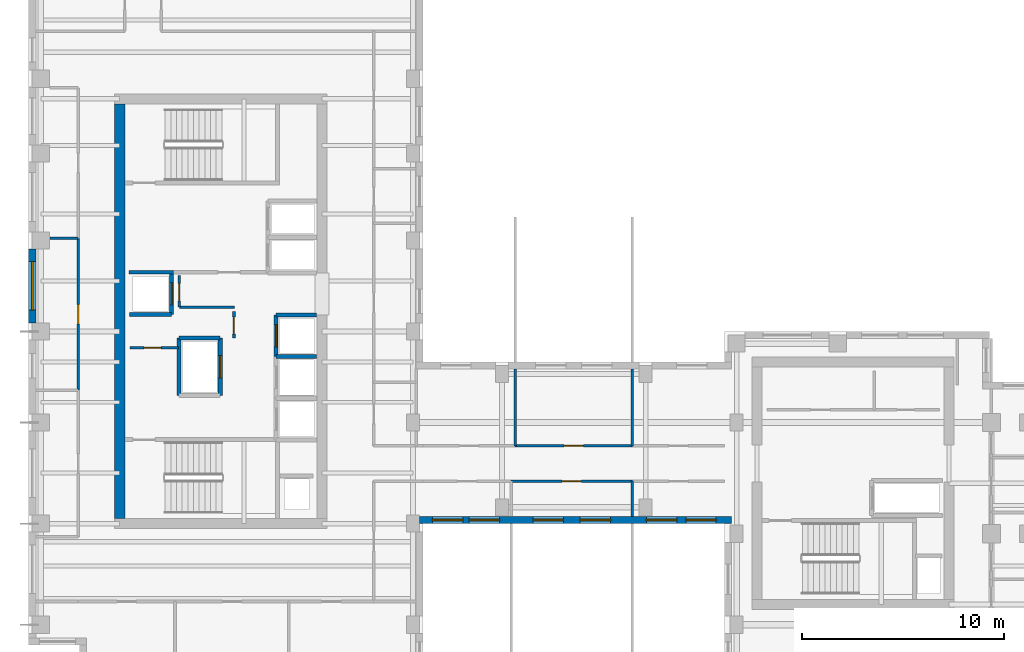
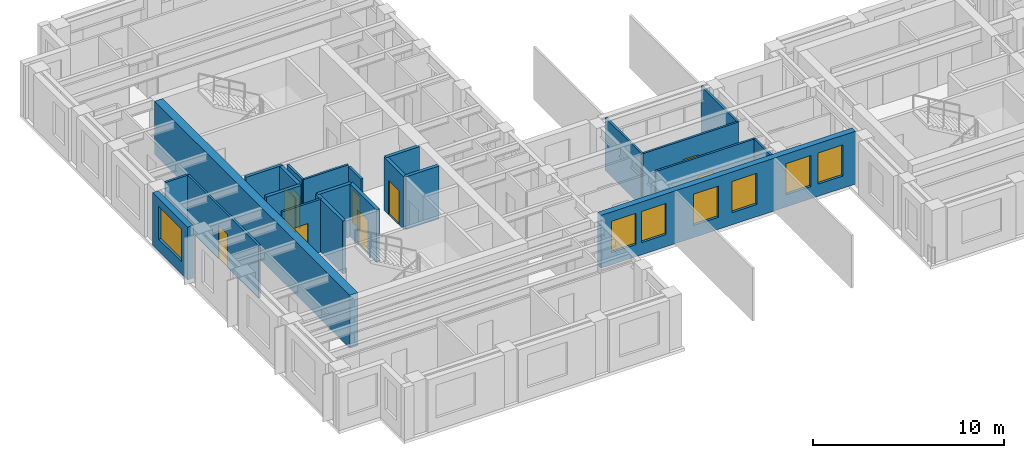
# One storey, part 4 of 10: 23 walls, 9 doors, 7 windows, 16 openings.
"""IFC4 building model written with IfcOpenShell, lengths in metres."""

import ifcopenshell
import ifcopenshell.guid

model = None  # the IFC model being written
_history = None  # IfcOwnerHistory: only IFC2X3 demands one
_inside = {}  # id of a spatial element -> (the spatial element, [elements in it])
_under = {}  # id of a project, library or spatial element -> (it, [spatial elements below it])
_declared = {}  # id of a project -> (the project, [libraries it declares])
_typed = {}  # id of a type object -> (the type object, [elements of that type])
_made_of = {}  # id of a material, layer set ... -> (it, [elements and type objects made of it])


def new_model(schema):
    """Start an empty IFC model of exactly this schema.

    Asked for "IFC4X3", IfcOpenShell would pick the latest addendum, in which some entities
    have other attributes; the version numbers below select the first issue.
    IFC2X3 requires an IfcOwnerHistory on every rooted entity: one is made here for all.
    """
    global model, _history
    if schema == "IFC4X3":
        model = ifcopenshell.file(schema_version=(4, 3, 0, 0))
    else:
        model = ifcopenshell.file(schema=schema)
    _inside.clear()
    _under.clear()
    _declared.clear()
    _typed.clear()
    _made_of.clear()
    _history = None
    if model.schema == "IFC2X3":
        org = make("IfcOrganization", Name="unknown")
        user = make(
            "IfcPersonAndOrganization",
            ThePerson=make("IfcPerson", FamilyName="unknown"),
            TheOrganization=org,
        )
        app = make(
            "IfcApplication",
            ApplicationDeveloper=org,
            Version="unknown",
            ApplicationFullName="unknown",
            ApplicationIdentifier="unknown",
        )
        _history = make(
            "IfcOwnerHistory",
            OwningUser=user,
            OwningApplication=app,
            ChangeAction="ADDED",
            CreationDate=0,
        )
    return model


def make(cls, **values):
    """One entity of the class cls with the attributes given. An attribute that is None is left unset."""
    return model.create_entity(
        cls, **{name: value for name, value in values.items() if value is not None}
    )


def rooted(cls, **values):
    """An entity with a GlobalId (a new one), such as an element, a storey or a relation."""
    return make(cls, GlobalId=ifcopenshell.guid.new(), OwnerHistory=_history, **values)


def si_unit(unit_type, name, prefix=None):
    """IfcSIUnit, for example si_unit("LENGTHUNIT", "METRE", prefix="MILLI")."""
    return make("IfcSIUnit", UnitType=unit_type, Prefix=prefix, Name=name)


def assignment(units):
    """IfcUnitAssignment: the units of a project."""
    return None if units is None else make("IfcUnitAssignment", Units=units)


def point(xyz):
    """IfcCartesianPoint."""
    return None if xyz is None else make("IfcCartesianPoint", Coordinates=xyz)


def direction(xyz):
    """IfcDirection."""
    return None if xyz is None else make("IfcDirection", DirectionRatios=xyz)


def frame(location, z_axis=None, x_axis=None):
    """IfcAxis2Placement3D, a coordinate frame: its origin and axes. An axis left out is left unset."""
    return make(
        "IfcAxis2Placement3D",
        Location=point(location),
        Axis=direction(z_axis),
        RefDirection=direction(x_axis),
    )


def frame_2d(location, x_axis=None):
    """IfcAxis2Placement2D, a coordinate frame in the plane: its origin and x axis."""
    return make(
        "IfcAxis2Placement2D", Location=point(location), RefDirection=direction(x_axis)
    )


def origin():
    """The frame at (0, 0, 0) with its axes left unset."""
    return frame((0.0, 0.0, 0.0))


def place(relative_to, where):
    """IfcLocalPlacement: puts the frame where relative to a parent placement (None: the world)."""
    return make(
        "IfcLocalPlacement", PlacementRelTo=relative_to, RelativePlacement=where
    )


def context(
    kind, dimensions, precision=None, world=None, true_north=None, identifier=None
):
    """IfcGeometricRepresentationContext, for example the 3D "Model" context."""
    return make(
        "IfcGeometricRepresentationContext",
        ContextIdentifier=identifier,
        ContextType=kind,
        CoordinateSpaceDimension=dimensions,
        Precision=precision,
        WorldCoordinateSystem=world,
        TrueNorth=true_north,
    )


def subcontext(parent, identifier, kind, view, scale=None):
    """IfcGeometricRepresentationSubContext, for example "Body" below "Model"."""
    return make(
        "IfcGeometricRepresentationSubContext",
        ContextIdentifier=identifier,
        ContextType=kind,
        ParentContext=parent,
        TargetScale=scale,
        TargetView=view,
    )


def project(units=None, contexts=None):
    """IfcProject with its units and contexts."""
    return rooted(
        "IfcProject",
        Name="project",
        RepresentationContexts=contexts,
        UnitsInContext=assignment(units),
    )


def spatial(cls, under=None, at=None, **own):
    """A site, building, storey or space (cls), placed at a placement, below another one or the project."""
    s = rooted(cls, ObjectPlacement=at, **own)
    if under is not None:
        _under.setdefault(under.id(), (under, []))[1].append(s)
    return s


def profile(cls, at=None, kind="AREA", **sizes):
    """A parametric profile (cls). Its sizes go by their IFC names, for example OverallWidth=200.0."""
    return make(cls, ProfileType=kind, Position=at, **sizes)


def rectangle(**sizes):
    """IfcRectangleProfileDef."""
    return profile("IfcRectangleProfileDef", **sizes)


def extrude(swept, where, along, depth):
    """IfcExtrudedAreaSolid: the profile swept, set in the frame where, extruded along a direction by depth."""
    return make(
        "IfcExtrudedAreaSolid",
        SweptArea=swept,
        Position=where,
        ExtrudedDirection=direction(along),
        Depth=depth,
    )


def shape(context_of_items, identifier, shape_type, items):
    """IfcShapeRepresentation: the items that make up one representation, for example the "Body"."""
    return make(
        "IfcShapeRepresentation",
        ContextOfItems=context_of_items,
        RepresentationIdentifier=identifier,
        RepresentationType=shape_type,
        Items=items,
    )


def source(mapping_origin, context_of_items, identifier, shape_type, items):
    """IfcRepresentationMap: a shape defined once, which mapped items show again and again."""
    return make(
        "IfcRepresentationMap",
        MappingOrigin=mapping_origin,
        MappedRepresentation=shape(context_of_items, identifier, shape_type, items),
    )


def transform(
    local_origin,
    x_axis=None,
    y_axis=None,
    z_axis=None,
    scale=None,
    scale2=None,
    scale3=None,
    uniform=True,
):
    """IfcCartesianTransformationOperator3D, or its non-uniform kind. x_axis, y_axis, z_axis: its Axis1, 2, 3."""
    if uniform:
        return make(
            "IfcCartesianTransformationOperator3D",
            Axis1=direction(x_axis),
            Axis2=direction(y_axis),
            LocalOrigin=point(local_origin),
            Scale=scale,
            Axis3=direction(z_axis),
        )
    return make(
        "IfcCartesianTransformationOperator3DnonUniform",
        Axis1=direction(x_axis),
        Axis2=direction(y_axis),
        LocalOrigin=point(local_origin),
        Scale=scale,
        Axis3=direction(z_axis),
        Scale2=scale2,
        Scale3=scale3,
    )


def mapped(mapping_source, mapping_target):
    """IfcMappedItem: shows the shape of a source again, moved by a transform."""
    return make(
        "IfcMappedItem", MappingSource=mapping_source, MappingTarget=mapping_target
    )


def material(Name=None, Category=None):
    """IfcMaterial."""
    return make("IfcMaterial", Name=Name, Category=Category)


def layer(
    of_material, thickness, ventilated=None, Name=None, Category=None, Priority=None
):
    """IfcMaterialLayer: one layer of a wall or slab, of a material (None: an air gap)."""
    return make(
        "IfcMaterialLayer",
        Material=of_material,
        LayerThickness=thickness,
        IsVentilated=ventilated,
        Name=Name,
        Category=Category,
        Priority=Priority,
    )


def layer_set(layers, Name=None):
    """IfcMaterialLayerSet."""
    return make("IfcMaterialLayerSet", MaterialLayers=layers, LayerSetName=Name)


def made_of(thing, what):
    """Note that an element or type object is made of a material, layer set ...; save() writes the relation."""
    if what is not None:
        _made_of.setdefault(what.id(), (what, []))[1].append(thing)
    return thing


def type_object(cls, material=None, **own):
    """A type object (cls), such as IfcWallType, which elements share."""
    return made_of(rooted(cls, **own), material)


def element(
    cls,
    number,
    at=None,
    inside=None,
    cuts=None,
    type_object=None,
    material=None,
    context=None,
    identifier="Body",
    shape_type=None,
    held_by="IfcProductDefinitionShape",
    body=None,
    shapes=None,
    **own,
):
    """One element of the class cls, such as IfcWall. Its Tag is "e" and its number.

    at: its placement. inside: the storey or other place that contains it. cuts: it is an
    opening in that element (IfcRelVoidsElement). A single representation is given by context,
    identifier, shape_type and body (its items); several are given by shapes. held_by: the class
    of the entity that holds the representations. save() writes the other relations.
    """
    e = rooted(cls, Tag="e%d" % number, ObjectPlacement=at, **own)
    if body is not None:
        shapes = [shape(context, identifier, shape_type, body)]
    if shapes is not None:
        e.Representation = make(held_by, Representations=shapes)
    if inside is not None:
        _inside.setdefault(inside.id(), (inside, []))[1].append(e)
    if cuts is not None:
        rooted(
            "IfcRelVoidsElement", RelatingBuildingElement=cuts, RelatedOpeningElement=e
        )
    if type_object is not None:
        _typed.setdefault(type_object.id(), (type_object, []))[1].append(e)
    return made_of(e, material)


def fill(opening, filler):
    """IfcRelFillsElement: the door or window that sits in an opening."""
    return rooted(
        "IfcRelFillsElement",
        RelatingOpeningElement=opening,
        RelatedBuildingElement=filler,
    )


def aggregate(whole, parts):
    """IfcRelAggregates: a whole, such as a stair, and the parts it consists of."""
    return rooted("IfcRelAggregates", RelatingObject=whole, RelatedObjects=parts)


def save(model, path):
    """Write the relations noted so far, then the file.

    IfcRelAggregates (storeys below a building ...), IfcRelContainedInSpatialStructure (elements
    in a storey), IfcRelDefinesByType, IfcRelAssociatesMaterial and IfcRelDeclares: one each for
    every whole, place, type object, material and project.
    """
    for whole, parts in _under.values():
        aggregate(whole, parts)
    for where, things in _inside.values():
        rooted(
            "IfcRelContainedInSpatialStructure",
            RelatedElements=things,
            RelatingStructure=where,
        )
    for kind, things in _typed.values():
        rooted("IfcRelDefinesByType", RelatedObjects=things, RelatingType=kind)
    for what, things in _made_of.values():
        rooted("IfcRelAssociatesMaterial", RelatedObjects=things, RelatingMaterial=what)
    for by, libraries in _declared.values():
        rooted("IfcRelDeclares", RelatingContext=by, RelatedDefinitions=libraries)
    model.write(path)


model = new_model("IFC4")

# Units and contexts
model_context = context("Model", 3, precision=1e-05, world=origin(), true_north=direction((0.0, 1.0)))
body_context = subcontext(model_context, "Body", "Model", "MODEL_VIEW")
ifc_project = project(units=[si_unit("LENGTHUNIT", "METRE"), si_unit("AREAUNIT", "SQUARE_METRE"), si_unit("VOLUMEUNIT", "CUBIC_METRE"), si_unit("PLANEANGLEUNIT", "RADIAN"), si_unit("MASSUNIT", "GRAM", prefix="KILO")], contexts=[model_context])

# Site, building, storey
site_placement = place(None, origin())
site = spatial("IfcSite", under=ifc_project, at=site_placement, CompositionType="ELEMENT")
building_placement = place(site_placement, origin())
building = spatial("IfcBuilding", under=site, at=building_placement, Name="Kharzan Plaza Tower", CompositionType="ELEMENT")
storey_placement = place(building_placement, frame((0.0, 0.0, 230.39990234375)))
storey = spatial("IfcBuildingStorey", under=building, at=storey_placement, Name="L62", CompositionType="ELEMENT", Elevation=230.39990234375)

# Wall, opening, window
ifc_material_1 = material(Name="Concrete C40/50", Category="concrete")
ifc_layer_1 = layer(ifc_material_1, 0.35009765625)
ifc_layer_set_1 = layer_set([ifc_layer_1], Name="Concrete C40/50")
wall_type_1 = type_object("IfcWallType", Name="WL-EXT-MAS-Z4", PredefinedType="SOLIDWALL", material=ifc_layer_set_1)
wall_1_placement = place(storey_placement, frame((0.175048828125, 22.076904296875, 0.0), z_axis=(0.0, 0.0, 1.0), x_axis=(0.0, -1.0, 0.0)))
wall_1 = element("IfcWall", 1, at=wall_1_placement, inside=storey, type_object=wall_type_1, Name="L62 Masonry-Frame Exterior Wall 19", PredefinedType="SOLIDWALL", context=body_context, shape_type="SweptSolid", body=[
    extrude(rectangle(XDim=3.65380859375, YDim=0.35009765625, at=frame_2d((1.826904296875, 0.0))), origin(), (0.0, 0.0, 1.0), 3.385009765625),
])
opening_1_placement = place(wall_1_placement, frame((0.626953125, 0.0, 0.780029296875)))
opening_1 = element("IfcOpeningElement", 2, at=opening_1_placement, cuts=wall_1, Name="Opening W2", PredefinedType="OPENING", context=body_context, shape_type="SweptSolid", body=[
    extrude(rectangle(XDim=2.39990234375, YDim=2.10009765625, at=frame_2d((1.199951171875, 1.050048828125))), frame((0.0, 0.18505859375, 0.0), z_axis=(0.0, -1.0, 0.0), x_axis=(1.0, 0.0, 0.0)), (0.0, 0.0, 1.0), 0.3701171875),
])
ifc_material_2 = material(Name="Low-E Double Glazing", Category="glass")
window_type_1 = type_object("IfcWindowType", Name="WN-REC-2400x2100", PartitioningType="SINGLE_PANEL", PredefinedType="WINDOW", material=ifc_material_2)
shared_shape_1 = source(origin(), body_context, "Body", "SweptSolid", [
    extrude(rectangle(XDim=2.39990234375, YDim=2.10009765625, at=frame_2d((1.199951171875, 1.050048828125))), frame((0.0, 0.030029296875, 0.0), z_axis=(0.0, -1.0, 0.0), x_axis=(1.0, 0.0, 0.0)), (0.0, 0.0, 1.0), 0.06005859375),
])
window_1_placement = place(opening_1_placement, origin())
window_1 = element("IfcWindow", 3, at=window_1_placement, inside=storey, type_object=window_type_1, Name="L62 Wide Recessed Solar-Control Window 19-1", OverallHeight=2.10009765625, OverallWidth=2.39990234375, PartitioningType="SINGLE_PANEL", PredefinedType="WINDOW", context=body_context, shape_type="MappedRepresentation", body=[
    mapped(shared_shape_1, transform((0.0, 0.0, 0.0), x_axis=(1.0, 0.0, 0.0), y_axis=(0.0, 1.0, 0.0), z_axis=(0.0, 0.0, 1.0))),
])
fill(opening_1, window_1)

# Wall, openings, windows
wall_2_placement = place(storey_placement, frame((19.322998046875, 8.675048828125, 0.0), z_axis=(0.0, 0.0, 1.0), x_axis=(1.0, 0.0, 0.0)))
wall_2 = element("IfcWall", 4, at=wall_2_placement, inside=storey, type_object=wall_type_1, Name="L62 Masonry-Frame Exterior Wall 32", PredefinedType="SOLIDWALL", context=body_context, shape_type="SweptSolid", body=[
    extrude(rectangle(XDim=15.427001953125, YDim=0.35009765625, at=frame_2d((7.71337890625, 0.0))), origin(), (0.0, 0.0, 1.0), 3.385009765625),
])
opening_2_placement = place(wall_2_placement, frame((0.638916015625, 0.0, 0.780029296875)))
opening_2 = element("IfcOpeningElement", 5, at=opening_2_placement, cuts=wall_2, Name="Opening W5", PredefinedType="OPENING", context=body_context, shape_type="SweptSolid", body=[
    extrude(rectangle(XDim=1.5, YDim=2.0, at=frame_2d((0.75, 1.0))), frame((0.0, 0.18505859375, 0.0), z_axis=(0.0, -1.0, 0.0), x_axis=(1.0, 0.0, 0.0)), (0.0, 0.0, 1.0), 0.3701171875),
])
opening_3_placement = place(wall_2_placement, frame((2.4580078125, 0.0, 0.780029296875)))
opening_3 = element("IfcOpeningElement", 6, at=opening_3_placement, cuts=wall_2, Name="Opening W5", PredefinedType="OPENING", context=body_context, shape_type="SweptSolid", body=[
    extrude(rectangle(XDim=1.5, YDim=2.0, at=frame_2d((0.75, 1.0))), frame((0.0, 0.18505859375, 0.0), z_axis=(0.0, -1.0, 0.0), x_axis=(1.0, 0.0, 0.0)), (0.0, 0.0, 1.0), 0.3701171875),
])
opening_4_placement = place(wall_2_placement, frame((5.6103515625, 0.0, 0.780029296875)))
opening_4 = element("IfcOpeningElement", 7, at=opening_4_placement, cuts=wall_2, Name="Opening W5", PredefinedType="OPENING", context=body_context, shape_type="SweptSolid", body=[
    extrude(rectangle(XDim=1.5, YDim=2.0, at=frame_2d((0.75, 1.0))), frame((0.0, 0.18505859375, 0.0), z_axis=(0.0, -1.0, 0.0), x_axis=(1.0, 0.0, 0.0)), (0.0, 0.0, 1.0), 0.3701171875),
])
opening_5_placement = place(wall_2_placement, frame((7.943603515625, 0.0, 0.780029296875)))
opening_5 = element("IfcOpeningElement", 8, at=opening_5_placement, cuts=wall_2, Name="Opening W5", PredefinedType="OPENING", context=body_context, shape_type="SweptSolid", body=[
    extrude(rectangle(XDim=1.5, YDim=2.0, at=frame_2d((0.75, 1.0))), frame((0.0, 0.18505859375, 0.0), z_axis=(0.0, -1.0, 0.0), x_axis=(1.0, 0.0, 0.0)), (0.0, 0.0, 1.0), 0.3701171875),
])
opening_6_placement = place(wall_2_placement, frame((11.22021484375, 0.0, 0.780029296875)))
opening_6 = element("IfcOpeningElement", 9, at=opening_6_placement, cuts=wall_2, Name="Opening W5", PredefinedType="OPENING", context=body_context, shape_type="SweptSolid", body=[
    extrude(rectangle(XDim=1.5, YDim=2.0, at=frame_2d((0.75, 1.0))), frame((0.0, 0.18505859375, 0.0), z_axis=(0.0, -1.0, 0.0), x_axis=(1.0, 0.0, 0.0)), (0.0, 0.0, 1.0), 0.3701171875),
])
opening_7_placement = place(wall_2_placement, frame((13.163818359375, 0.0, 0.780029296875)))
opening_7 = element("IfcOpeningElement", 10, at=opening_7_placement, cuts=wall_2, Name="Opening W5", PredefinedType="OPENING", context=body_context, shape_type="SweptSolid", body=[
    extrude(rectangle(XDim=1.5, YDim=2.0, at=frame_2d((0.75, 1.0))), frame((0.0, 0.18505859375, 0.0), z_axis=(0.0, -1.0, 0.0), x_axis=(1.0, 0.0, 0.0)), (0.0, 0.0, 1.0), 0.3701171875),
])
window_type_2 = type_object("IfcWindowType", Name="WN-SLT-1500x2000", PartitioningType="SINGLE_PANEL", PredefinedType="WINDOW", material=ifc_material_2)
shared_shape_2 = source(origin(), body_context, "Body", "SweptSolid", [
    extrude(rectangle(XDim=1.5, YDim=2.0, at=frame_2d((0.75, 1.0))), frame((0.0, 0.030029296875, 0.0), z_axis=(0.0, -1.0, 0.0), x_axis=(1.0, 0.0, 0.0)), (0.0, 0.0, 1.0), 0.06005859375),
])
window_2_placement = place(opening_2_placement, origin())
window_2 = element("IfcWindow", 11, at=window_2_placement, inside=storey, type_object=window_type_2, Name="L62 Recessed Solar-Control Window 32-1", OverallHeight=2.0, OverallWidth=1.5, PartitioningType="SINGLE_PANEL", PredefinedType="WINDOW", context=body_context, shape_type="MappedRepresentation", body=[
    mapped(shared_shape_2, transform((0.0, 0.0, 0.0), x_axis=(1.0, 0.0, 0.0), y_axis=(0.0, 1.0, 0.0), z_axis=(0.0, 0.0, 1.0))),
])
fill(opening_2, window_2)
window_3_placement = place(opening_3_placement, origin())
window_3 = element("IfcWindow", 12, at=window_3_placement, inside=storey, type_object=window_type_2, Name="L62 Recessed Solar-Control Window 32-2", OverallHeight=2.0, OverallWidth=1.5, PartitioningType="SINGLE_PANEL", PredefinedType="WINDOW", context=body_context, shape_type="MappedRepresentation", body=[
    mapped(shared_shape_2, transform((0.0, 0.0, 0.0), x_axis=(1.0, 0.0, 0.0), y_axis=(0.0, 1.0, 0.0), z_axis=(0.0, 0.0, 1.0))),
])
fill(opening_3, window_3)
window_4_placement = place(opening_4_placement, origin())
window_4 = element("IfcWindow", 13, at=window_4_placement, inside=storey, type_object=window_type_2, Name="L62 Recessed Solar-Control Window 32-3", OverallHeight=2.0, OverallWidth=1.5, PartitioningType="SINGLE_PANEL", PredefinedType="WINDOW", context=body_context, shape_type="MappedRepresentation", body=[
    mapped(shared_shape_2, transform((0.0, 0.0, 0.0), x_axis=(1.0, 0.0, 0.0), y_axis=(0.0, 1.0, 0.0), z_axis=(0.0, 0.0, 1.0))),
])
fill(opening_4, window_4)
window_5_placement = place(opening_5_placement, origin())
window_5 = element("IfcWindow", 14, at=window_5_placement, inside=storey, type_object=window_type_2, Name="L62 Recessed Solar-Control Window 32-4", OverallHeight=2.0, OverallWidth=1.5, PartitioningType="SINGLE_PANEL", PredefinedType="WINDOW", context=body_context, shape_type="MappedRepresentation", body=[
    mapped(shared_shape_2, transform((0.0, 0.0, 0.0), x_axis=(1.0, 0.0, 0.0), y_axis=(0.0, 1.0, 0.0), z_axis=(0.0, 0.0, 1.0))),
])
fill(opening_5, window_5)
window_6_placement = place(opening_6_placement, origin())
window_6 = element("IfcWindow", 15, at=window_6_placement, inside=storey, type_object=window_type_2, Name="L62 Recessed Solar-Control Window 32-5", OverallHeight=2.0, OverallWidth=1.5, PartitioningType="SINGLE_PANEL", PredefinedType="WINDOW", context=body_context, shape_type="MappedRepresentation", body=[
    mapped(shared_shape_2, transform((0.0, 0.0, 0.0), x_axis=(1.0, 0.0, 0.0), y_axis=(0.0, 1.0, 0.0), z_axis=(0.0, 0.0, 1.0))),
])
fill(opening_6, window_6)
window_7_placement = place(opening_7_placement, origin())
window_7 = element("IfcWindow", 16, at=window_7_placement, inside=storey, type_object=window_type_2, Name="L62 Recessed Solar-Control Window 32-6", OverallHeight=2.0, OverallWidth=1.5, PartitioningType="SINGLE_PANEL", PredefinedType="WINDOW", context=body_context, shape_type="MappedRepresentation", body=[
    mapped(shared_shape_2, transform((0.0, 0.0, 0.0), x_axis=(1.0, 0.0, 0.0), y_axis=(0.0, 1.0, 0.0), z_axis=(0.0, 0.0, 1.0))),
])
fill(opening_7, window_7)

# Wall, opening, door
ifc_material_3 = material(Name="Fire-Rated Gypsum Board Partition", Category="gypsum")
ifc_layer_2 = layer(ifc_material_3, 0.125)
ifc_layer_set_2 = layer_set([ifc_layer_2], Name="Fire-Rated Gypsum Board Partition")
wall_type_2 = type_object("IfcWallType", Name="WL-INT-PART-125", PredefinedType="PARTITIONING", material=ifc_layer_set_2)
wall_3_placement = place(storey_placement, frame((10.14990234375, 17.679931640625, 0.0), z_axis=(0.0, 0.0, 1.0), x_axis=(0.0, 1.0, 0.0)))
wall_3 = element("IfcWall", 17, at=wall_3_placement, inside=storey, type_object=wall_type_2, Name="L62 Interior Partition CA-K2A", PredefinedType="PARTITIONING", context=body_context, shape_type="SweptSolid", body=[
    extrude(rectangle(XDim=1.320068359375, YDim=0.125, at=frame_2d((0.66015625, 0.0))), origin(), (0.0, 0.0, 1.0), 3.385009765625),
])
opening_8_placement = place(wall_3_placement, frame((0.18505859375, 0.0, 0.0)))
opening_8 = element("IfcOpeningElement", 18, at=opening_8_placement, cuts=wall_3, Name="Opening RD1", PredefinedType="OPENING", context=body_context, shape_type="SweptSolid", body=[
    extrude(rectangle(XDim=0.85009765625, YDim=2.10009765625, at=frame_2d((0.425048828125, 1.050048828125))), frame((0.0, 0.072509765625, 0.0), z_axis=(0.0, -1.0, 0.0), x_axis=(1.0, 0.0, 0.0)), (0.0, 0.0, 1.0), 0.14501953125),
])
ifc_material_4 = material(Name="Powder-Coated Fire-Rated Steel", Category="steel")
door_type_1 = type_object("IfcDoorType", Name="DR-RISER-900", OperationType="NOTDEFINED", PredefinedType="DOOR", material=ifc_material_4)
shared_shape_3 = source(origin(), body_context, "Body", "SweptSolid", [
    extrude(rectangle(XDim=0.85009765625, YDim=2.10009765625, at=frame_2d((0.425048828125, 1.050048828125))), frame((0.0, 0.02490234375, 0.0), z_axis=(0.0, -1.0, 0.0), x_axis=(1.0, 0.0, 0.0)), (0.0, 0.0, 1.0), 0.050048828125),
])
door_1_placement = place(opening_8_placement, origin())
door_1 = element("IfcDoor", 19, at=door_1_placement, inside=storey, type_object=door_type_1, Name="L62 Core Mechanical Store Door", OperationType="SINGLE_SWING_LEFT", OverallHeight=2.10009765625, OverallWidth=0.85009765625, PredefinedType="DOOR", context=body_context, shape_type="MappedRepresentation", body=[
    mapped(shared_shape_3, transform((0.0, 0.0, 0.0), x_axis=(1.0, 0.0, 0.0), y_axis=(0.0, 1.0, 0.0), z_axis=(0.0, 0.0, 1.0))),
])
fill(opening_8, door_1)

wall_4_placement = place(storey_placement, frame((7.449951171875, 19.199951171875, 0.0), z_axis=(0.0, 0.0, 1.0), x_axis=(0.0, 1.0, 0.0)))
wall_4 = element("IfcWall", 20, at=wall_4_placement, inside=storey, type_object=wall_type_2, Name="L62 Interior Partition CA-K2B", PredefinedType="PARTITIONING", context=body_context, shape_type="SweptSolid", body=[
    extrude(rectangle(XDim=1.580078125, YDim=0.125, at=frame_2d((0.7900390625, 0.0))), origin(), (0.0, 0.0, 1.0), 3.385009765625),
])
opening_9_placement = place(wall_4_placement, frame((0.31494140625, 0.0, 0.0)))
opening_9 = element("IfcOpeningElement", 21, at=opening_9_placement, cuts=wall_4, Name="Opening RD1", PredefinedType="OPENING", context=body_context, shape_type="SweptSolid", body=[
    extrude(rectangle(XDim=0.85009765625, YDim=2.10009765625, at=frame_2d((0.425048828125, 1.050048828125))), frame((0.0, 0.072509765625, 0.0), z_axis=(0.0, -1.0, 0.0), x_axis=(1.0, 0.0, 0.0)), (0.0, 0.0, 1.0), 0.14501953125),
])
door_2_placement = place(opening_9_placement, origin())
door_2 = element("IfcDoor", 22, at=door_2_placement, inside=storey, type_object=door_type_1, Name="L62 Core Plant Store Door", OperationType="SINGLE_SWING_RIGHT", OverallHeight=2.10009765625, OverallWidth=0.85009765625, PredefinedType="DOOR", context=body_context, shape_type="MappedRepresentation", body=[
    mapped(shared_shape_3, transform((0.0, 0.0, 0.0), x_axis=(1.0, 0.0, 0.0), y_axis=(0.0, 1.0, 0.0), z_axis=(0.0, 0.0, 1.0))),
])
fill(opening_9, door_2)

wall_5_placement = place(storey_placement, frame((5.0, 17.199951171875, 0.0), z_axis=(0.0, 0.0, 1.0), x_axis=(1.0, 0.0, 0.0)))
wall_5 = element("IfcWall", 23, at=wall_5_placement, inside=storey, type_object=wall_type_2, Name="L62 Interior Partition CA-K2N0", PredefinedType="PARTITIONING", context=body_context, shape_type="SweptSolid", body=[
    extrude(rectangle(XDim=2.39990234375, YDim=0.125, at=frame_2d((1.199951171875, 0.0))), origin(), (0.0, 0.0, 1.0), 3.385009765625),
])
opening_10_placement = place(wall_5_placement, frame((0.699951171875, 0.0, 0.0)))
opening_10 = element("IfcOpeningElement", 24, at=opening_10_placement, cuts=wall_5, Name="Opening RD1", PredefinedType="OPENING", context=body_context, shape_type="SweptSolid", body=[
    extrude(rectangle(XDim=0.85009765625, YDim=2.10009765625, at=frame_2d((0.425048828125, 1.050048828125))), frame((0.0, 0.072509765625, 0.0), z_axis=(0.0, -1.0, 0.0), x_axis=(1.0, 0.0, 0.0)), (0.0, 0.0, 1.0), 0.14501953125),
])
door_3_placement = place(opening_10_placement, origin())
door_3 = element("IfcDoor", 25, at=door_3_placement, inside=storey, type_object=door_type_1, Name="L62 Core Electrical Store Door", OperationType="SINGLE_SWING_RIGHT", OverallHeight=2.10009765625, OverallWidth=0.85009765625, PredefinedType="DOOR", context=body_context, shape_type="MappedRepresentation", body=[
    mapped(shared_shape_3, transform((0.0, 0.0, 0.0), x_axis=(1.0, 0.0, 0.0), y_axis=(0.0, 1.0, 0.0), z_axis=(0.0, 0.0, 1.0))),
])
fill(opening_10, door_3)

wall_6_placement = place(storey_placement, frame((24.050048828125, 12.35009765625, 0.0), z_axis=(0.0, 0.0, 1.0), x_axis=(1.0, 0.0, 0.0)))
wall_6 = element("IfcWall", 26, at=wall_6_placement, inside=storey, type_object=wall_type_2, Name="L62 Interior Partition SH-SPNM", PredefinedType="PARTITIONING", context=body_context, shape_type="SweptSolid", body=[
    extrude(rectangle(XDim=5.800048828125, YDim=0.125, at=frame_2d((2.89990234375, 0.0))), origin(), (0.0, 0.0, 1.0), 3.385009765625),
])
opening_11_placement = place(wall_6_placement, frame((2.425048828125, 0.0, 0.0)))
opening_11 = element("IfcOpeningElement", 27, at=opening_11_placement, cuts=wall_6, Name="Opening OD1", PredefinedType="OPENING", context=body_context, shape_type="SweptSolid", body=[
    extrude(rectangle(XDim=0.949951171875, YDim=2.14990234375, at=frame_2d((0.47509765625, 1.074951171875))), frame((0.0, 0.072509765625, 0.0), z_axis=(0.0, -1.0, 0.0), x_axis=(1.0, 0.0, 0.0)), (0.0, 0.0, 1.0), 0.14501953125),
])
ifc_material_5 = material(Name="Acoustic Solid-Core Stained Oak", Category="timber")
door_type_2 = type_object("IfcDoorType", Name="DR-OFF-SINGLE", OperationType="NOTDEFINED", PredefinedType="DOOR", material=ifc_material_5)
shared_shape_4 = source(origin(), body_context, "Body", "SweptSolid", [
    extrude(rectangle(XDim=0.949951171875, YDim=2.14990234375, at=frame_2d((0.47509765625, 1.074951171875))), frame((0.0, 0.02490234375, 0.0), z_axis=(0.0, -1.0, 0.0), x_axis=(1.0, 0.0, 0.0)), (0.0, 0.0, 1.0), 0.050048828125),
])
door_4_placement = place(opening_11_placement, origin())
door_4 = element("IfcDoor", 28, at=door_4_placement, inside=storey, type_object=door_type_2, Name="L62 Reclaimed Spine Door", OperationType="SINGLE_SWING_RIGHT", OverallHeight=2.14990234375, OverallWidth=0.949951171875, PredefinedType="DOOR", context=body_context, shape_type="MappedRepresentation", body=[
    mapped(shared_shape_4, transform((0.0, 0.0, 0.0), x_axis=(1.0, 0.0, 0.0), y_axis=(0.0, 1.0, 0.0), z_axis=(0.0, 0.0, 1.0))),
])
fill(opening_11, door_4)

wall_7_placement = place(storey_placement, frame((23.85009765625, 10.60009765625, 0.0), z_axis=(0.0, 0.0, 1.0), x_axis=(1.0, 0.0, 0.0)))
wall_7 = element("IfcWall", 29, at=wall_7_placement, inside=storey, type_object=wall_type_2, Name="L62 Interior Partition SH-SPS2", PredefinedType="PARTITIONING", context=body_context, shape_type="SweptSolid", body=[
    extrude(rectangle(XDim=6.0, YDim=0.125, at=frame_2d((3.0, 0.0))), origin(), (0.0, 0.0, 1.0), 3.385009765625),
])
opening_12_placement = place(wall_7_placement, frame((2.52490234375, 0.0, 0.0)))
opening_12 = element("IfcOpeningElement", 30, at=opening_12_placement, cuts=wall_7, Name="Opening OD1", PredefinedType="OPENING", context=body_context, shape_type="SweptSolid", body=[
    extrude(rectangle(XDim=0.949951171875, YDim=2.14990234375, at=frame_2d((0.47509765625, 1.074951171875))), frame((0.0, 0.072509765625, 0.0), z_axis=(0.0, -1.0, 0.0), x_axis=(1.0, 0.0, 0.0)), (0.0, 0.0, 1.0), 0.14501953125),
])
door_5_placement = place(opening_12_placement, origin())
door_5 = element("IfcDoor", 31, at=door_5_placement, inside=storey, type_object=door_type_2, Name="L62 Spine Studio 2 Door", OperationType="SINGLE_SWING_RIGHT", OverallHeight=2.14990234375, OverallWidth=0.949951171875, PredefinedType="DOOR", context=body_context, shape_type="MappedRepresentation", body=[
    mapped(shared_shape_4, transform((0.0, 0.0, 0.0), x_axis=(1.0, 0.0, 0.0), y_axis=(0.0, 1.0, 0.0), z_axis=(0.0, 0.0, 1.0))),
])
fill(opening_12, door_5)

wall_8_placement = place(storey_placement, frame((2.449951171875, 15.10009765625, 0.0), z_axis=(0.0, 0.0, 1.0), x_axis=(0.0, 1.0, 0.0)))
wall_8 = element("IfcWall", 32, at=wall_8_placement, inside=storey, type_object=wall_type_2, Name="L62 Interior Partition SH-WW-2", PredefinedType="PARTITIONING", context=body_context, shape_type="SweptSolid", body=[
    extrude(rectangle(XDim=7.5, YDim=0.125, at=frame_2d((3.75, 0.0))), origin(), (0.0, 0.0, 1.0), 3.385009765625),
])
opening_13_placement = place(wall_8_placement, frame((3.27490234375, 0.0, 0.0)))
opening_13 = element("IfcOpeningElement", 33, at=opening_13_placement, cuts=wall_8, Name="Opening OD1", PredefinedType="OPENING", context=body_context, shape_type="SweptSolid", body=[
    extrude(rectangle(XDim=0.949951171875, YDim=2.14990234375, at=frame_2d((0.47509765625, 1.074951171875))), frame((0.0, 0.072509765625, 0.0), z_axis=(0.0, -1.0, 0.0), x_axis=(1.0, 0.0, 0.0)), (0.0, 0.0, 1.0), 0.14501953125),
])
door_6_placement = place(opening_13_placement, origin())
door_6 = element("IfcDoor", 34, at=door_6_placement, inside=storey, type_object=door_type_2, Name="L62 Research Engineering Office Door", OperationType="SINGLE_SWING_RIGHT", OverallHeight=2.14990234375, OverallWidth=0.949951171875, PredefinedType="DOOR", context=body_context, shape_type="MappedRepresentation", body=[
    mapped(shared_shape_4, transform((0.0, 0.0, 0.0), x_axis=(1.0, 0.0, 0.0), y_axis=(0.0, 1.0, 0.0), z_axis=(0.0, 0.0, 1.0))),
])
fill(opening_13, door_6)

ifc_layer_3 = layer(ifc_material_1, 0.199951171875)
ifc_layer_set_3 = layer_set([ifc_layer_3], Name="Concrete C40/50")
wall_type_3 = type_object("IfcWallType", Name="WL-INT-SHAFT-200", PredefinedType="PARTITIONING", material=ifc_layer_set_3)
wall_9_placement = place(storey_placement, frame((12.22998046875, 16.77001953125, 0.0), z_axis=(0.0, 0.0, 1.0), x_axis=(0.0, 1.0, 0.0)))
wall_9 = element("IfcWall", 35, at=wall_9_placement, inside=storey, type_object=wall_type_3, Name="L62 Interior Partition SHF-PL-H3-W", PredefinedType="PARTITIONING", context=body_context, shape_type="SweptSolid", body=[
    extrude(rectangle(XDim=2.050048828125, YDim=0.199951171875, at=frame_2d((1.02490234375, 0.0))), origin(), (0.0, 0.0, 1.0), 3.385009765625),
])
opening_14_placement = place(wall_9_placement, frame((0.47509765625, 0.0, 0.0)))
opening_14 = element("IfcOpeningElement", 36, at=opening_14_placement, cuts=wall_9, Name="Opening LD", PredefinedType="OPENING", context=body_context, shape_type="SweptSolid", body=[
    extrude(rectangle(XDim=1.10009765625, YDim=2.199951171875, at=frame_2d((0.550048828125, 1.10009765625))), frame((0.0, 0.10986328125, 0.0), z_axis=(0.0, -1.0, 0.0), x_axis=(1.0, 0.0, 0.0)), (0.0, 0.0, 1.0), 0.219970703125),
])
ifc_material_6 = material(Name="Brushed Stainless Steel", Category="steel")
door_type_3 = type_object("IfcDoorType", Name="DR-LIFT-SLIDE", OperationType="SLIDING_TO_LEFT", PredefinedType="DOOR", material=ifc_material_6)
shared_shape_5 = source(origin(), body_context, "Body", "SweptSolid", [
    extrude(rectangle(XDim=1.10009765625, YDim=2.199951171875, at=frame_2d((0.550048828125, 1.10009765625))), frame((0.0, 0.02490234375, 0.0), z_axis=(0.0, -1.0, 0.0), x_axis=(1.0, 0.0, 0.0)), (0.0, 0.0, 1.0), 0.050048828125),
])
door_7_placement = place(opening_14_placement, origin())
door_7 = element("IfcDoor", 37, at=door_7_placement, inside=storey, type_object=door_type_3, Name="L62 High-Rise Passenger Lift PL-H3 Sliding Landing Door", OperationType="SLIDING_TO_LEFT", OverallHeight=2.199951171875, OverallWidth=1.10009765625, PredefinedType="DOOR", context=body_context, shape_type="MappedRepresentation", body=[
    mapped(shared_shape_5, transform((0.0, 0.0, 0.0), x_axis=(1.0, 0.0, 0.0), y_axis=(0.0, 1.0, 0.0), z_axis=(0.0, 0.0, 1.0))),
])
fill(opening_14, door_7)

wall_10_placement = place(storey_placement, frame((7.070068359375, 18.840087890625, 0.0), z_axis=(0.0, 0.0, 1.0), x_axis=(0.0, 1.0, 0.0)))
wall_10 = element("IfcWall", 38, at=wall_10_placement, inside=storey, type_object=wall_type_3, Name="L62 Interior Partition SHF-PL-H4-E", PredefinedType="PARTITIONING", context=body_context, shape_type="SweptSolid", body=[
    extrude(rectangle(XDim=2.059814453125, YDim=0.199951171875, at=frame_2d((1.02978515625, 0.0))), origin(), (0.0, 0.0, 1.0), 3.385009765625),
])
opening_15_placement = place(wall_10_placement, frame((0.47998046875, 0.0, 0.0)))
opening_15 = element("IfcOpeningElement", 39, at=opening_15_placement, cuts=wall_10, Name="Opening LD", PredefinedType="OPENING", context=body_context, shape_type="SweptSolid", body=[
    extrude(rectangle(XDim=1.10009765625, YDim=2.199951171875, at=frame_2d((0.550048828125, 1.10009765625))), frame((0.0, 0.10986328125, 0.0), z_axis=(0.0, -1.0, 0.0), x_axis=(1.0, 0.0, 0.0)), (0.0, 0.0, 1.0), 0.219970703125),
])
door_8_placement = place(opening_15_placement, origin())
door_8 = element("IfcDoor", 40, at=door_8_placement, inside=storey, type_object=door_type_3, Name="L62 High-Rise Passenger Lift PL-H4 Sliding Landing Door", OperationType="SLIDING_TO_LEFT", OverallHeight=2.199951171875, OverallWidth=1.10009765625, PredefinedType="DOOR", context=body_context, shape_type="MappedRepresentation", body=[
    mapped(shared_shape_5, transform((0.0, 0.0, 0.0), x_axis=(1.0, 0.0, 0.0), y_axis=(0.0, 1.0, 0.0), z_axis=(0.0, 0.0, 1.0))),
])
fill(opening_15, door_8)

wall_11_placement = place(storey_placement, frame((9.469970703125, 14.830078125, 0.0), z_axis=(0.0, 0.0, 1.0), x_axis=(0.0, 1.0, 0.0)))
wall_11 = element("IfcWall", 41, at=wall_11_placement, inside=storey, type_object=wall_type_3, Name="L62 Interior Partition SHF-SVL-1-E", PredefinedType="PARTITIONING", context=body_context, shape_type="SweptSolid", body=[
    extrude(rectangle(XDim=2.83984375, YDim=0.199951171875, at=frame_2d((1.419921875, 0.0))), origin(), (0.0, 0.0, 1.0), 3.385009765625),
])
opening_16_placement = place(wall_11_placement, frame((0.8701171875, 0.0, 0.0)))
opening_16 = element("IfcOpeningElement", 42, at=opening_16_placement, cuts=wall_11, Name="Opening LD", PredefinedType="OPENING", context=body_context, shape_type="SweptSolid", body=[
    extrude(rectangle(XDim=1.10009765625, YDim=2.199951171875, at=frame_2d((0.550048828125, 1.10009765625))), frame((0.0, 0.10986328125, 0.0), z_axis=(0.0, -1.0, 0.0), x_axis=(1.0, 0.0, 0.0)), (0.0, 0.0, 1.0), 0.219970703125),
])
door_9_placement = place(opening_16_placement, origin())
door_9 = element("IfcDoor", 43, at=door_9_placement, inside=storey, type_object=door_type_3, Name="L62 Service Lift SVL-1 Sliding Landing Door", OperationType="SLIDING_TO_LEFT", OverallHeight=2.199951171875, OverallWidth=1.10009765625, PredefinedType="DOOR", context=body_context, shape_type="MappedRepresentation", body=[
    mapped(shared_shape_5, transform((0.0, 0.0, 0.0), x_axis=(1.0, 0.0, 0.0), y_axis=(0.0, 1.0, 0.0), z_axis=(0.0, 0.0, 1.0))),
])
fill(opening_16, door_9)

# Walls
ifc_layer_4 = layer(ifc_material_1, 0.179931640625)
ifc_layer_set_4 = layer_set([ifc_layer_4], Name="Concrete C40/50")
wall_type_4 = type_object("IfcWallType", Name="WL-INT-FIRE-180", PredefinedType="PARTITIONING", material=ifc_layer_set_4)
shared_shape_6 = source(origin(), body_context, "Body", "SweptSolid", [
    extrude(rectangle(XDim=2.199951171875, YDim=0.179931640625, at=frame_2d((1.10009765625, 0.0))), origin(), (0.0, 0.0, 1.0), 3.385009765625),
])
wall_12_placement = place(storey_placement, frame((4.949951171875, 20.919921875, 0.0), z_axis=(0.0, 0.0, 1.0), x_axis=(1.0, 0.0, 0.0)))
element("IfcWall", 44, at=wall_12_placement, inside=storey, type_object=wall_type_4, Name="L62 Interior Partition CA-FF-SW", PredefinedType="PARTITIONING", context=body_context, shape_type="MappedRepresentation", body=[
    mapped(shared_shape_6, transform((0.0, 0.0, 0.0), x_axis=(1.0, 0.0, 0.0), y_axis=(0.0, 1.0, 0.0), z_axis=(0.0, 0.0, 1.0))),
])
shared_shape_7 = source(origin(), body_context, "Body", "SweptSolid", [
    extrude(rectangle(XDim=2.72998046875, YDim=0.125, at=frame_2d((1.364990234375, 0.0))), origin(), (0.0, 0.0, 1.0), 3.385009765625),
])
wall_13_placement = place(storey_placement, frame((7.449951171875, 19.199951171875, 0.0), z_axis=(0.0, 0.0, 1.0), x_axis=(1.0, 0.0, 0.0)))
element("IfcWall", 45, at=wall_13_placement, inside=storey, type_object=wall_type_2, Name="L62 Interior Partition CA-K2M", PredefinedType="PARTITIONING", context=body_context, shape_type="MappedRepresentation", body=[
    mapped(shared_shape_7, transform((0.0, 0.0, 0.0), x_axis=(1.0, 0.0, 0.0), y_axis=(0.0, 1.0, 0.0), z_axis=(0.0, 0.0, 1.0))),
])
shared_shape_8 = source(origin(), body_context, "Body", "SweptSolid", [
    extrude(rectangle(XDim=2.090087890625, YDim=0.199951171875, at=frame_2d((1.044921875, 0.0))), origin(), (0.0, 0.0, 1.0), 3.385009765625),
])
wall_14_placement = place(storey_placement, frame((4.97998046875, 18.840087890625, 0.0), z_axis=(0.0, 0.0, 1.0), x_axis=(1.0, 0.0, 0.0)))
element("IfcWall", 46, at=wall_14_placement, inside=storey, type_object=wall_type_3, Name="L62 Interior Partition SHF-PL-H4-S", PredefinedType="PARTITIONING", context=body_context, shape_type="MappedRepresentation", body=[
    mapped(shared_shape_8, transform((0.0, 0.0, 0.0), x_axis=(1.0, 0.0, 0.0), y_axis=(0.0, 1.0, 0.0), z_axis=(0.0, 0.0, 1.0))),
])
shared_shape_9 = source(origin(), body_context, "Body", "SweptSolid", [
    extrude(rectangle(XDim=2.0400390625, YDim=0.199951171875, at=frame_2d((1.02001953125, 0.0))), origin(), (0.0, 0.0, 1.0), 3.385009765625),
])
wall_15_placement = place(storey_placement, frame((7.429931640625, 17.669921875, 0.0), z_axis=(0.0, 0.0, 1.0), x_axis=(1.0, 0.0, 0.0)))
element("IfcWall", 47, at=wall_15_placement, inside=storey, type_object=wall_type_3, Name="L62 Interior Partition SHF-SVL-1-N", PredefinedType="PARTITIONING", context=body_context, shape_type="MappedRepresentation", body=[
    mapped(shared_shape_9, transform((0.0, 0.0, 0.0), x_axis=(1.0, 0.0, 0.0), y_axis=(0.0, 1.0, 0.0), z_axis=(0.0, 0.0, 1.0))),
])
shared_shape_10 = source(origin(), body_context, "Body", "SweptSolid", [
    extrude(rectangle(XDim=2.83984375, YDim=0.199951171875, at=frame_2d((1.419921875, 0.0))), origin(), (0.0, 0.0, 1.0), 3.385009765625),
])
wall_16_placement = place(storey_placement, frame((7.429931640625, 14.830078125, 0.0), z_axis=(0.0, 0.0, 1.0), x_axis=(0.0, 1.0, 0.0)))
element("IfcWall", 48, at=wall_16_placement, inside=storey, type_object=wall_type_3, Name="L62 Interior Partition SHF-SVL-1-W", PredefinedType="PARTITIONING", context=body_context, shape_type="MappedRepresentation", body=[
    mapped(shared_shape_10, transform((0.0, 0.0, 0.0), x_axis=(1.0, 0.0, 0.0), y_axis=(0.0, 1.0, 0.0), z_axis=(0.0, 0.0, 1.0))),
])
shared_shape_11 = source(origin(), body_context, "Body", "SweptSolid", [
    extrude(rectangle(XDim=1.748046875, YDim=0.125, at=frame_2d((0.8740234375, 0.0))), origin(), (0.0, 0.0, 1.0), 3.385009765625),
])
wall_17_placement = place(storey_placement, frame((29.85009765625, 8.85205078125, 0.0), z_axis=(0.0, 0.0, 1.0), x_axis=(0.0, 1.0, 0.0)))
element("IfcWall", 49, at=wall_17_placement, inside=storey, type_object=wall_type_2, Name="L62 Interior Partition SH-SPSV2-S2", PredefinedType="PARTITIONING", context=body_context, shape_type="MappedRepresentation", body=[
    mapped(shared_shape_11, transform((0.0, 0.0, 0.0), x_axis=(1.0, 0.0, 0.0), y_axis=(0.0, 1.0, 0.0), z_axis=(0.0, 0.0, 1.0))),
])
ifc_material_7 = material(Name="Concrete C50/60", Category="concrete")
ifc_layer_5 = layer(ifc_material_7, 0.5)
ifc_layer_set_5 = layer_set([ifc_layer_5], Name="Concrete C50/60")
wall_type_5 = type_object("IfcWallType", Name="WL-CORE-500", PredefinedType="SHEAR", material=ifc_layer_set_5)
shared_shape_12 = source(origin(), body_context, "Body", "SweptSolid", [
    extrude(rectangle(XDim=20.5, YDim=0.5, at=frame_2d((10.25, 0.0))), origin(), (0.0, 0.0, 1.0), 3.400146484375),
])
wall_18_placement = place(storey_placement, frame((4.5, 8.75, 0.0), z_axis=(0.0, 0.0, 1.0), x_axis=(0.0, 1.0, 0.0)))
element("IfcWall", 50, at=wall_18_placement, inside=storey, type_object=wall_type_5, Name="L62 CORE-A west RC shear wall", PredefinedType="SHEAR", context=body_context, shape_type="MappedRepresentation", body=[
    mapped(shared_shape_12, transform((0.0, 0.0, 0.0), x_axis=(1.0, 0.0, 0.0), y_axis=(0.0, 1.0, 0.0), z_axis=(0.0, 0.0, 1.0))),
])
shared_shape_13 = source(origin(), body_context, "Body", "SweptSolid", [
    extrude(rectangle(XDim=1.989990234375, YDim=0.199951171875, at=frame_2d((0.9951171875, 0.0))), origin(), (0.0, 0.0, 1.0), 3.385009765625),
])
for number, where, z_axis, x_axis, name in (
    (51, (12.22998046875, 16.77001953125, 0.0), (0.0, 0.0, 1.0), (1.0, 0.0, 0.0), "L62 Interior Partition SHF-PL-H2-N"),
    (52, (12.22998046875, 18.820068359375, 0.0), (0.0, 0.0, 1.0), (1.0, 0.0, 0.0), "L62 Interior Partition SHF-PL-H3-N"),
):
    element("IfcWall", number, at=place(storey_placement, frame(where, z_axis=z_axis, x_axis=x_axis)), inside=storey, type_object=wall_type_3, Name=name, PredefinedType="PARTITIONING", context=body_context, shape_type="MappedRepresentation", body=[
        mapped(shared_shape_13, transform((0.0, 0.0, 0.0), x_axis=(1.0, 0.0, 0.0), y_axis=(0.0, 1.0, 0.0), z_axis=(0.0, 0.0, 1.0))),
    ])
shared_shape_14 = source(origin(), body_context, "Body", "SweptSolid", [
    extrude(rectangle(XDim=1.39990234375, YDim=0.125, at=frame_2d((0.699951171875, 0.0))), origin(), (0.0, 0.0, 1.0), 3.385009765625),
])
wall_19_placement = place(storey_placement, frame((1.050048828125, 22.60009765625, 0.0), z_axis=(0.0, 0.0, 1.0), x_axis=(1.0, 0.0, 0.0)))
element("IfcWall", 53, at=wall_19_placement, inside=storey, type_object=wall_type_2, Name="L62 Interior Partition SH-WH-2", PredefinedType="PARTITIONING", context=body_context, shape_type="MappedRepresentation", body=[
    mapped(shared_shape_14, transform((0.0, 0.0, 0.0), x_axis=(1.0, 0.0, 0.0), y_axis=(0.0, 1.0, 0.0), z_axis=(0.0, 0.0, 1.0))),
])
shared_shape_15 = source(origin(), body_context, "Body", "SweptSolid", [
    extrude(rectangle(XDim=3.7978515625, YDim=0.125, at=frame_2d((1.89892578125, 0.0))), origin(), (0.0, 0.0, 1.0), 3.385009765625),
])
for number, where, z_axis, x_axis, name in (
    (54, (24.050048828125, 12.35009765625, 0.0), (0.0, 0.0, 1.0), (0.0, 1.0, 0.0), "L62 Interior Partition SH-SPML-S1"),
    (55, (29.85009765625, 12.35009765625, 0.0), (0.0, 0.0, 1.0), (0.0, 1.0, 0.0), "L62 Interior Partition SH-SPMR-S1"),
):
    element("IfcWall", number, at=place(storey_placement, frame(where, z_axis=z_axis, x_axis=x_axis)), inside=storey, type_object=wall_type_2, Name=name, PredefinedType="PARTITIONING", context=body_context, shape_type="MappedRepresentation", body=[
        mapped(shared_shape_15, transform((0.0, 0.0, 0.0), x_axis=(1.0, 0.0, 0.0), y_axis=(0.0, 1.0, 0.0), z_axis=(0.0, 0.0, 1.0))),
    ])

save(model, "model.ifc")
